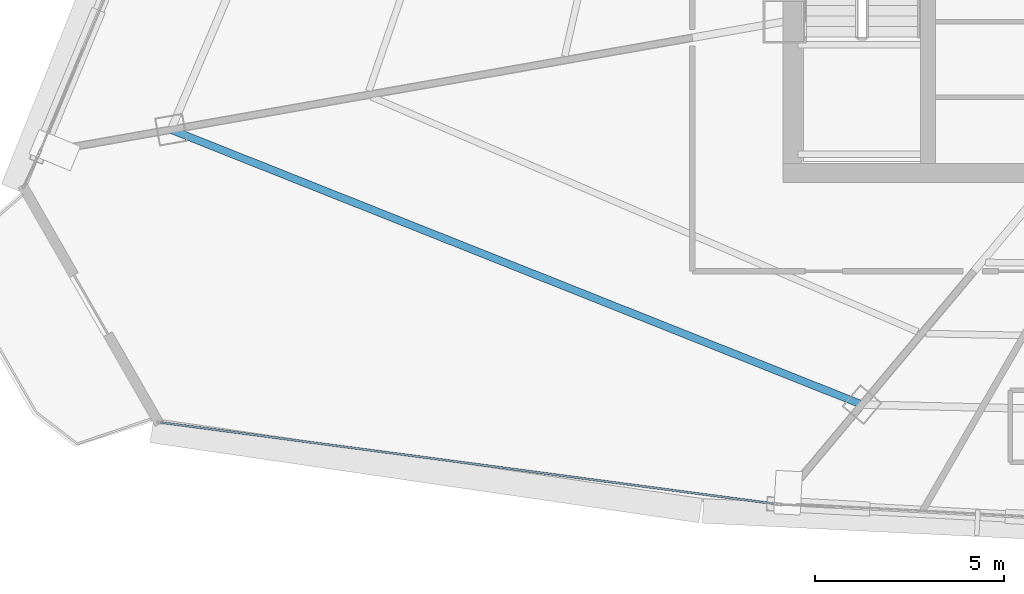
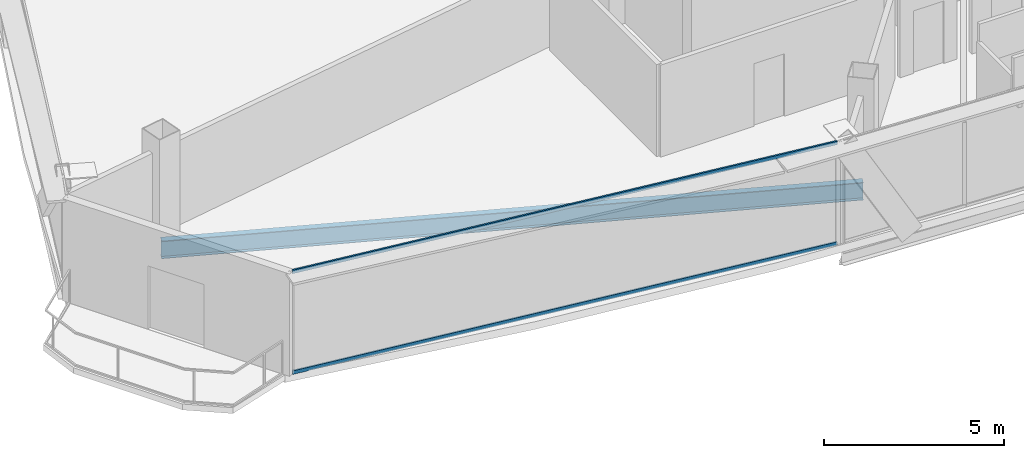
# One storey, part 3 of 39: 2 members, 1 beam, 1 element without a shape of its own.
"""IFC4 building model written with IfcOpenShell, lengths in metres."""

from ifc_helpers import new_model, si_unit, direction, frame, origin, origin_2d, place, context, subcontext, project, spatial, hollow_rectangle, i_section, extrude, source, transform, mapped, material, layer, layer_set, material_profile, profile_set, type_object, element, aggregate, save


model = new_model("IFC4")

# Units and contexts
model_context = context("Model", 3, precision=1e-05, world=origin(), true_north=direction((0.0, 1.0)))
body_context = subcontext(model_context, "Body", "Model", "MODEL_VIEW")
ifc_project = project(units=[si_unit("LENGTHUNIT", "METRE"), si_unit("AREAUNIT", "SQUARE_METRE"), si_unit("VOLUMEUNIT", "CUBIC_METRE"), si_unit("PLANEANGLEUNIT", "RADIAN"), si_unit("MASSUNIT", "GRAM", prefix="KILO"), si_unit("THERMODYNAMICTEMPERATUREUNIT", "KELVIN"), si_unit("POWERUNIT", "WATT")], contexts=[model_context])

# Site, building, storey
site_placement = place(None, origin())
site = spatial("IfcSite", under=ifc_project, at=site_placement, CompositionType="ELEMENT")
building_placement = place(site_placement, origin())
building = spatial("IfcBuilding", under=site, at=building_placement, Name="Yunzhuo Pagoda Commons", CompositionType="ELEMENT")
storey_placement = place(building_placement, frame((0.0, 0.0, 285.02001953125)))
storey = spatial("IfcBuildingStorey", under=building, at=storey_placement, Name="L71", CompositionType="ELEMENT", Elevation=285.02001953125)

# Beam
ifc_material_1 = material(Name="Structural steel Q355B", Category="steel")
ifc_material_profile_1 = material_profile(ifc_material_1, i_section(OverallWidth=0.199951171875, OverallDepth=0.60009765625, WebThickness=0.010986328125, FlangeThickness=0.01708984375, at=origin_2d()), Name="Structural steel Q355B")
ifc_profile_set_1 = profile_set([ifc_material_profile_1], Name="Structural steel Q355B")
beam_type = type_object("IfcBeamType", Name="B-RG3 Beam HN 600x200x11x17", PredefinedType="BEAM", material=ifc_profile_set_1)
shared_shape_1 = source(origin(), body_context, "Body", "SweptSolid", [
    extrude(i_section(OverallWidth=0.199951171875, OverallDepth=0.60009765625, WebThickness=0.010986328125, FlangeThickness=0.01708984375, at=origin_2d()), origin(), (0.0, 0.0, 1.0), 19.70458984375),
])
beam_placement = place(storey_placement, frame((19.33837890625, 28.646240234375, -0.56005859375), z_axis=(0.929153602905, -0.369693903396, 0.0), x_axis=(0.369693903396, 0.929153602905, 0.0)))
element("IfcBeam", 1, at=beam_placement, inside=storey, type_object=beam_type, Name="L71 column-ring beam 12", PredefinedType="BEAM", context=body_context, shape_type="MappedRepresentation", body=[
    mapped(shared_shape_1, transform((0.0, 0.0, 0.0), scale=1.0)),
])

# Curtain wall, members
ifc_material_2 = material(Name="Anodized aluminium 6063-T6", Category="aluminium")
ifc_layer = layer(ifc_material_2, 0.139892578125)
ifc_layer_set = layer_set([ifc_layer], Name="Anodized aluminium 6063-T6")
curtain_wall_type = type_object("IfcCurtainWallType", Name="CW-HI High-Zone Ribbon Curtain Wall", PredefinedType="NOTDEFINED", material=ifc_layer_set)
curtain_wall_placement = place(storey_placement, origin())
curtain_wall = element("IfcCurtainWall", 2, at=curtain_wall_placement, inside=storey, type_object=curtain_wall_type, Name="L71 curtain wall CW-L71-F1B1", PredefinedType="NOTDEFINED")
ifc_material_profile_2 = material_profile(ifc_material_2, hollow_rectangle(XDim=0.054931640625, YDim=0.1201171875, WallThickness=0.00341796875, at=origin_2d()), Name="Anodized aluminium 6063-T6")
ifc_profile_set_2 = profile_set([ifc_material_profile_2], Name="Anodized aluminium 6063-T6")
member_type = type_object("IfcMemberType", Name="CW-HI-T Transom RHS 120x55x3.5", PredefinedType="USERDEFINED", material=ifc_profile_set_2)
shared_shape_2 = source(origin(), body_context, "Body", "SweptSolid", [
    extrude(hollow_rectangle(XDim=0.054931640625, YDim=0.1201171875, WallThickness=0.00341796875, at=origin_2d()), origin(), (0.0, 0.0, 1.0), 16.373779296875),
])
member_1_placement = place(storey_placement, frame((19.065673828125, 20.888916015625, 0.027587890625), z_axis=(0.991342383134, -0.131302244471, 0.0), x_axis=(0.131302244471, 0.991342383134, 0.0)))
member_1 = element("IfcMember", 3, at=member_1_placement, type_object=member_type, Name="CW transom 1.1", ObjectType="TRANSOM", PredefinedType="USERDEFINED", context=body_context, shape_type="MappedRepresentation", body=[
    mapped(shared_shape_2, transform((0.0, 0.0, 0.0), scale=1.0)),
])
member_2_placement = place(storey_placement, frame((19.065673828125, 20.888916015625, 3.4423828125), z_axis=(0.991342383134, -0.131302244471, 0.0), x_axis=(0.131302244471, 0.991342383134, 0.0)))
member_2 = element("IfcMember", 4, at=member_2_placement, type_object=member_type, Name="CW transom 1.2", ObjectType="TRANSOM", PredefinedType="USERDEFINED", context=body_context, shape_type="MappedRepresentation", body=[
    mapped(shared_shape_2, transform((0.0, 0.0, 0.0), scale=1.0)),
])
aggregate(curtain_wall, [member_1, member_2])

save(model, "model.ifc")
